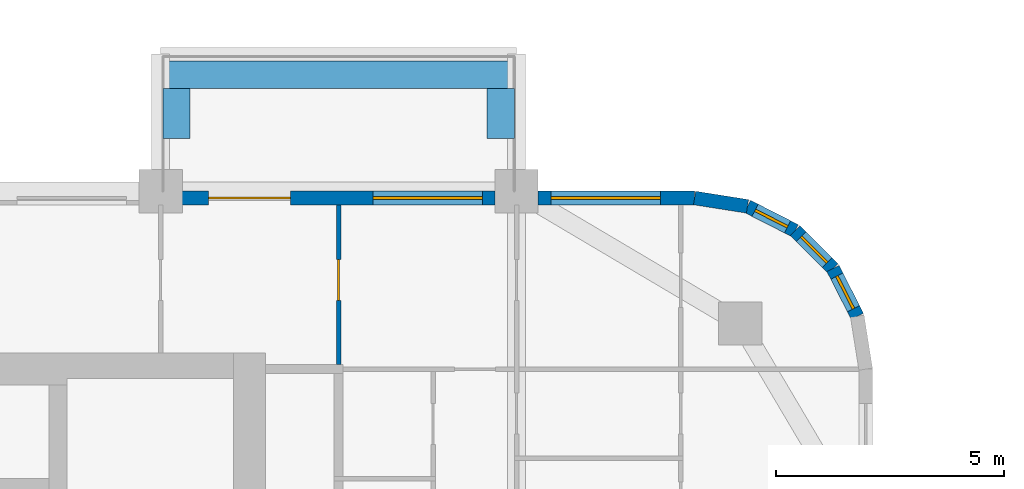
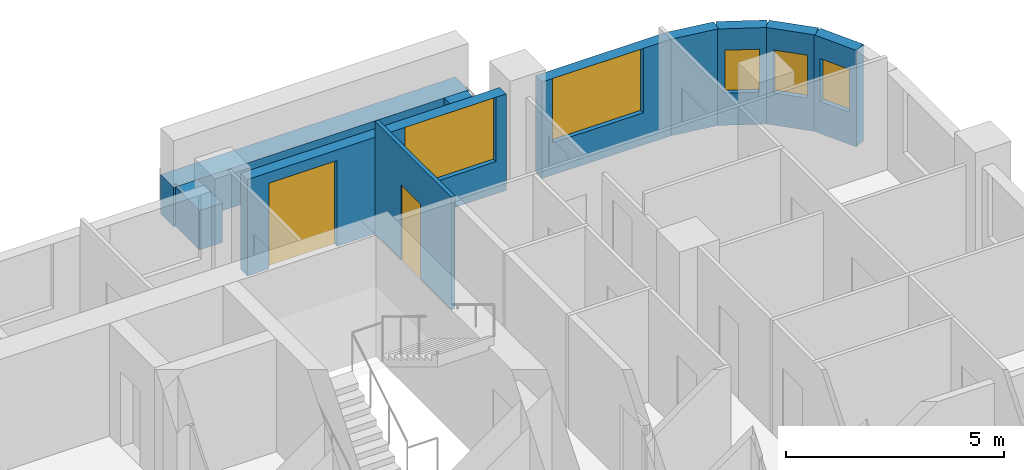
# One storey, part 14 of 18: 10 walls, 5 windows, 2 doors, 7 openings.
"""IFC4 building model written with IfcOpenShell, lengths in metres."""

from ifc_helpers import new_model, si_unit, direction, frame, frame_2d, origin, place, context, subcontext, project, spatial, rectangle, extrude, material, layer, layer_set, type_object, element, fill, save


model = new_model("IFC4")

# Units and contexts
model_context = context("Model", 3, precision=1e-05, world=origin(), true_north=direction((0.0, 1.0)))
body_context = subcontext(model_context, "Body", "Model", "MODEL_VIEW")
ifc_project = project(units=[si_unit("LENGTHUNIT", "METRE"), si_unit("AREAUNIT", "SQUARE_METRE"), si_unit("VOLUMEUNIT", "CUBIC_METRE"), si_unit("PLANEANGLEUNIT", "RADIAN"), si_unit("MASSUNIT", "GRAM", prefix="KILO")], contexts=[model_context])

# Site, building, storey
site_placement = place(None, origin())
site = spatial("IfcSite", under=ifc_project, at=site_placement, CompositionType="ELEMENT")
building_placement = place(site_placement, origin())
building = spatial("IfcBuilding", under=site, at=building_placement, Name="Ludao Terraces", CompositionType="ELEMENT")
storey_placement = place(building_placement, frame((0.0, 0.0, 61.39990234375)))
storey = spatial("IfcBuildingStorey", under=building, at=storey_placement, Name="L16", CompositionType="ELEMENT", Elevation=61.39990234375)

# Walls
ifc_material_1 = material(Name="Concrete C40", Category="concrete")
ifc_layer_1 = layer(ifc_material_1, 0.60009765625)
ifc_layer_set_1 = layer_set([ifc_layer_1], Name="ENV Planter trough 600")
wall_type_1 = type_object("IfcWallType", Name="ENV Planter trough 600", PredefinedType="USERDEFINED", material=ifc_layer_set_1)
wall_1_placement = place(storey_placement, frame((92.800048828125, 90.949951171875, 0.0), z_axis=(0.0, 0.0, 1.0), x_axis=(1.0, 0.0, 0.0)))
element("IfcWall", 1, at=wall_1_placement, inside=storey, type_object=wall_type_1, Name="PL-L16-N4", ObjectType="PLANTER", PredefinedType="USERDEFINED", context=body_context, shape_type="SweptSolid", body=[
    extrude(rectangle(XDim=7.800048828125, YDim=0.60009765625, at=frame_2d((3.89990234375, 0.0))), origin(), (0.0, 0.0, 1.0), 1.10009765625),
])
for number, where, z_axis, x_axis, name in (
    (2, (93.14990234375, 90.64990234375, 0.0), (0.0, 0.0, 1.0), (0.0, -1.0, 0.0), "PL-L16-N4-SA"),
    (3, (100.25, 90.64990234375, 0.0), (0.0, 0.0, 1.0), (0.0, -1.0, 0.0), "PL-L16-N4-SB"),
):
    element("IfcWall", number, at=place(storey_placement, frame(where, z_axis=z_axis, x_axis=x_axis)), inside=storey, type_object=wall_type_1, Name=name, ObjectType="PLANTER", PredefinedType="USERDEFINED", context=body_context, shape_type="SweptSolid", body=[
        extrude(rectangle(XDim=1.099853515625, YDim=0.60009765625, at=frame_2d((0.5498046875, 0.0))), origin(), (0.0, 0.0, 1.0), 1.10009765625),
    ])

# Wall, openings, door, window
ifc_material_2 = material(Name="Granite cladding", Category="masonry")
ifc_layer_2 = layer(ifc_material_2, 0.0400390625, Category="stone")
ifc_material_3 = material(Name="Mineral wool")
ifc_layer_3 = layer(ifc_material_3, 0.06005859375)
ifc_layer_4 = layer(ifc_material_1, 0.199951171875, Category="concrete")
ifc_layer_set_2 = layer_set([ifc_layer_2, ifc_layer_3, ifc_layer_4], Name="ENV Stone-clad wall 300")
wall_type_2 = type_object("IfcWallType", Name="ENV Stone-clad wall 300", PredefinedType="SOLIDWALL", material=ifc_layer_set_2)
wall_2_placement = place(storey_placement, frame((93.27490234375, 88.25, 0.0), z_axis=(0.0, 0.0, 1.0), x_axis=(1.0, 0.0, 0.0)))
wall_2 = element("IfcWall", 4, at=wall_2_placement, inside=storey, type_object=wall_type_2, Name="EW-L16-N5", PredefinedType="SOLIDWALL", context=body_context, shape_type="SweptSolid", body=[
    extrude(rectangle(XDim=6.85009765625, YDim=0.300048828125, at=frame_2d((3.425048828125, 0.0))), origin(), (0.0, 0.0, 1.0), 2.7001953125),
])
opening_1_placement = place(wall_2_placement, frame((0.574951171875, 0.0, 0.0)))
opening_1 = element("IfcOpeningElement", 5, at=opening_1_placement, cuts=wall_2, Name="Opening BD", PredefinedType="OPENING", context=body_context, shape_type="SweptSolid", body=[
    extrude(rectangle(XDim=1.800048828125, YDim=2.39990234375, at=frame_2d((0.89990234375, 1.199951171875))), frame((0.0, 0.16015625, 0.0), z_axis=(0.0, -1.0, 0.0), x_axis=(1.0, 0.0, 0.0)), (0.0, 0.0, 1.0), 0.320068359375),
])
opening_2_placement = place(wall_2_placement, frame((4.175048828125, 0.0, 0.89990234375)))
opening_2 = element("IfcOpeningElement", 6, at=opening_2_placement, cuts=wall_2, Name="Opening W1", PredefinedType="OPENING", context=body_context, shape_type="SweptSolid", body=[
    extrude(rectangle(XDim=2.39990234375, YDim=1.800048828125, at=frame_2d((1.199951171875, 0.89990234375))), frame((0.0, 0.16015625, 0.0), z_axis=(0.0, -1.0, 0.0), x_axis=(1.0, 0.0, 0.0)), (0.0, 0.0, 1.0), 0.320068359375),
])
ifc_material_4 = material(Name="Aluminium glazed door", Category="aluminium")
ifc_layer_5 = layer(ifc_material_4, 0.06005859375)
ifc_layer_set_3 = layer_set([ifc_layer_5], Name="ENV Balcony door BD 1800x2400")
door_type_1 = type_object("IfcDoorType", Name="ENV Balcony door BD 1800x2400", OperationType="DOUBLE_DOOR_SINGLE_SWING", PredefinedType="DOOR", material=ifc_layer_set_3)
door_1_placement = place(opening_1_placement, origin())
door_1 = element("IfcDoor", 7, at=door_1_placement, inside=storey, type_object=door_type_1, Name="BD-L16-N5-1", OperationType="DOUBLE_DOOR_SINGLE_SWING", OverallHeight=2.39990234375, OverallWidth=1.800048828125, PredefinedType="DOOR", context=body_context, shape_type="SweptSolid", body=[
    extrude(rectangle(XDim=1.800048828125, YDim=2.39990234375, at=frame_2d((0.89990234375, 1.199951171875))), frame((0.0, 0.02490234375, 0.0), z_axis=(0.0, -1.0, 0.0), x_axis=(1.0, 0.0, 0.0)), (0.0, 0.0, 1.0), 0.050048828125),
])
fill(opening_1, door_1)
ifc_material_5 = material(Name="Clear glass in aluminium frame", Category="aluminium")
ifc_layer_6 = layer(ifc_material_5, 0.06005859375)
ifc_layer_set_4 = layer_set([ifc_layer_6], Name="ENV Window W1 2400x1800")
window_type_1 = type_object("IfcWindowType", Name="ENV Window W1 2400x1800", PartitioningType="DOUBLE_PANEL_VERTICAL", PredefinedType="WINDOW", material=ifc_layer_set_4)
window_1_placement = place(opening_2_placement, origin())
window_1 = element("IfcWindow", 8, at=window_1_placement, inside=storey, type_object=window_type_1, Name="W-L16-N5-2", OverallHeight=1.800048828125, OverallWidth=2.39990234375, PartitioningType="DOUBLE_PANEL_VERTICAL", PredefinedType="WINDOW", context=body_context, shape_type="SweptSolid", body=[
    extrude(rectangle(XDim=2.39990234375, YDim=1.800048828125, at=frame_2d((1.199951171875, 0.89990234375))), frame((0.0, 0.030029296875, 0.0), z_axis=(0.0, -1.0, 0.0), x_axis=(1.0, 0.0, 0.0)), (0.0, 0.0, 1.0), 0.06005859375),
])
fill(opening_2, window_1)

# Wall, opening, window
wall_3_placement = place(storey_placement, frame((101.074951171875, 88.25, 0.0), z_axis=(0.0, 0.0, 1.0), x_axis=(1.0, 0.0, 0.0)))
wall_3 = element("IfcWall", 9, at=wall_3_placement, inside=storey, type_object=wall_type_2, Name="EW-L16-N6", PredefinedType="SOLIDWALL", context=body_context, shape_type="SweptSolid", body=[
    extrude(rectangle(XDim=3.425048828125, YDim=0.300048828125, at=frame_2d((1.71240234375, 0.0))), origin(), (0.0, 0.0, 1.0), 2.7001953125),
])
opening_3_placement = place(wall_3_placement, frame((0.27490234375, 0.0, 0.89990234375)))
opening_3 = element("IfcOpeningElement", 10, at=opening_3_placement, cuts=wall_3, Name="Opening W1", PredefinedType="OPENING", context=body_context, shape_type="SweptSolid", body=[
    extrude(rectangle(XDim=2.39990234375, YDim=1.800048828125, at=frame_2d((1.199951171875, 0.89990234375))), frame((0.0, 0.16015625, 0.0), z_axis=(0.0, -1.0, 0.0), x_axis=(1.0, 0.0, 0.0)), (0.0, 0.0, 1.0), 0.320068359375),
])
window_2_placement = place(opening_3_placement, origin())
window_2 = element("IfcWindow", 11, at=window_2_placement, inside=storey, type_object=window_type_1, Name="W-L16-N6-1", OverallHeight=1.800048828125, OverallWidth=2.39990234375, PartitioningType="DOUBLE_PANEL_VERTICAL", PredefinedType="WINDOW", context=body_context, shape_type="SweptSolid", body=[
    extrude(rectangle(XDim=2.39990234375, YDim=1.800048828125, at=frame_2d((1.199951171875, 0.89990234375))), frame((0.0, 0.030029296875, 0.0), z_axis=(0.0, -1.0, 0.0), x_axis=(1.0, 0.0, 0.0)), (0.0, 0.0, 1.0), 0.06005859375),
])
fill(opening_3, window_2)

wall_4_placement = place(storey_placement, frame((108.06640625, 85.65869140625, 0.0), z_axis=(0.0, 0.0, 1.0), x_axis=(-0.454025524128, 0.890988677504, 0.0)))
wall_4 = element("IfcWall", 12, at=wall_4_placement, inside=storey, type_object=wall_type_2, Name="EW-L16-NE2", PredefinedType="SOLIDWALL", context=body_context, shape_type="SweptSolid", body=[
    extrude(rectangle(XDim=1.17333984375, YDim=0.300048828125, at=frame_2d((0.586669921875, 0.0))), origin(), (0.0, 0.0, 1.0), 2.7001953125),
])
opening_4_placement = place(wall_4_placement, frame((0.1865234375, 0.0, 0.89990234375)))
opening_4 = element("IfcOpeningElement", 13, at=opening_4_placement, cuts=wall_4, Name="Opening W3", PredefinedType="OPENING", context=body_context, shape_type="SweptSolid", body=[
    extrude(rectangle(XDim=0.800048828125, YDim=1.199951171875, at=frame_2d((0.39990234375, 0.60009765625))), frame((0.0, 0.16015625, 0.0), z_axis=(0.0, -1.0, 0.0), x_axis=(1.0, 0.0, 0.0)), (0.0, 0.0, 1.0), 0.320068359375),
])
ifc_layer_7 = layer(ifc_material_5, 0.06005859375)
ifc_layer_set_5 = layer_set([ifc_layer_7], Name="ENV Window W3 800x1200")
window_type_2 = type_object("IfcWindowType", Name="ENV Window W3 800x1200", PartitioningType="SINGLE_PANEL", PredefinedType="WINDOW", material=ifc_layer_set_5)
window_3_placement = place(opening_4_placement, origin())
window_3 = element("IfcWindow", 14, at=window_3_placement, inside=storey, type_object=window_type_2, Name="W-L16-NE2", OverallHeight=1.199951171875, OverallWidth=0.800048828125, PartitioningType="SINGLE_PANEL", PredefinedType="WINDOW", context=body_context, shape_type="SweptSolid", body=[
    extrude(rectangle(XDim=0.800048828125, YDim=1.199951171875, at=frame_2d((0.39990234375, 0.60009765625))), frame((0.0, 0.030029296875, 0.0), z_axis=(0.0, -1.0, 0.0), x_axis=(1.0, 0.0, 0.0)), (0.0, 0.0, 1.0), 0.06005859375),
])
fill(opening_4, window_3)

wall_5_placement = place(storey_placement, frame((107.53369140625, 86.7041015625, 0.0), z_axis=(0.0, 0.0, 1.0), x_axis=(-0.707106781187, 0.707106781187, 0.0)))
wall_5 = element("IfcWall", 15, at=wall_5_placement, inside=storey, type_object=wall_type_2, Name="EW-L16-NE3", PredefinedType="SOLIDWALL", context=body_context, shape_type="SweptSolid", body=[
    extrude(rectangle(XDim=1.173095703125, YDim=0.300048828125, at=frame_2d((0.58642578125, 0.0))), origin(), (0.0, 0.0, 1.0), 2.7001953125),
])
opening_5_placement = place(wall_5_placement, frame((0.1865234375, 0.0, 0.89990234375)))
opening_5 = element("IfcOpeningElement", 16, at=opening_5_placement, cuts=wall_5, Name="Opening W3", PredefinedType="OPENING", context=body_context, shape_type="SweptSolid", body=[
    extrude(rectangle(XDim=0.800048828125, YDim=1.199951171875, at=frame_2d((0.39990234375, 0.60009765625))), frame((0.0, 0.16015625, 0.0), z_axis=(0.0, -1.0, 0.0), x_axis=(1.0, 0.0, 0.0)), (0.0, 0.0, 1.0), 0.320068359375),
])
window_4_placement = place(opening_5_placement, origin())
window_4 = element("IfcWindow", 17, at=window_4_placement, inside=storey, type_object=window_type_2, Name="W-L16-NE3", OverallHeight=1.199951171875, OverallWidth=0.800048828125, PartitioningType="SINGLE_PANEL", PredefinedType="WINDOW", context=body_context, shape_type="SweptSolid", body=[
    extrude(rectangle(XDim=0.800048828125, YDim=1.199951171875, at=frame_2d((0.39990234375, 0.60009765625))), frame((0.0, 0.030029296875, 0.0), z_axis=(0.0, -1.0, 0.0), x_axis=(1.0, 0.0, 0.0)), (0.0, 0.0, 1.0), 0.06005859375),
])
fill(opening_5, window_4)

wall_6_placement = place(storey_placement, frame((106.7041015625, 87.53369140625, 0.0), z_axis=(0.0, 0.0, 1.0), x_axis=(-0.890988677504, 0.454025524128, 0.0)))
wall_6 = element("IfcWall", 18, at=wall_6_placement, inside=storey, type_object=wall_type_2, Name="EW-L16-NE4", PredefinedType="SOLIDWALL", context=body_context, shape_type="SweptSolid", body=[
    extrude(rectangle(XDim=1.17333984375, YDim=0.300048828125, at=frame_2d((0.586669921875, 0.0))), origin(), (0.0, 0.0, 1.0), 2.7001953125),
])
opening_6_placement = place(wall_6_placement, frame((0.1865234375, 0.0, 0.89990234375)))
opening_6 = element("IfcOpeningElement", 19, at=opening_6_placement, cuts=wall_6, Name="Opening W3", PredefinedType="OPENING", context=body_context, shape_type="SweptSolid", body=[
    extrude(rectangle(XDim=0.800048828125, YDim=1.199951171875, at=frame_2d((0.39990234375, 0.60009765625))), frame((0.0, 0.16015625, 0.0), z_axis=(0.0, -1.0, 0.0), x_axis=(1.0, 0.0, 0.0)), (0.0, 0.0, 1.0), 0.320068359375),
])
window_5_placement = place(opening_6_placement, origin())
window_5 = element("IfcWindow", 20, at=window_5_placement, inside=storey, type_object=window_type_2, Name="W-L16-NE4", OverallHeight=1.199951171875, OverallWidth=0.800048828125, PartitioningType="SINGLE_PANEL", PredefinedType="WINDOW", context=body_context, shape_type="SweptSolid", body=[
    extrude(rectangle(XDim=0.800048828125, YDim=1.199951171875, at=frame_2d((0.39990234375, 0.60009765625))), frame((0.0, 0.030029296875, 0.0), z_axis=(0.0, -1.0, 0.0), x_axis=(1.0, 0.0, 0.0)), (0.0, 0.0, 1.0), 0.06005859375),
])
fill(opening_6, window_5)

# Wall
wall_7_placement = place(storey_placement, frame((105.65869140625, 88.06640625, 0.0), z_axis=(0.0, 0.0, 1.0), x_axis=(-0.987678452879, 0.156496880861, 0.0)))
element("IfcWall", 21, at=wall_7_placement, inside=storey, type_object=wall_type_2, Name="EW-L16-NE5", PredefinedType="SOLIDWALL", context=body_context, shape_type="SweptSolid", body=[
    extrude(rectangle(XDim=1.173095703125, YDim=0.300048828125, at=frame_2d((0.58642578125, 0.0))), origin(), (0.0, 0.0, 1.0), 2.7001953125),
])

# Wall, opening, door
ifc_material_6 = material(Name="Gypsum plasterboard", Category="gypsum")
ifc_layer_8 = layer(ifc_material_6, 0.012451171875, Category="gypsum")
ifc_layer_9 = layer(ifc_material_3, 0.06005859375, Name="insulation")
ifc_material_7 = material(Name="Steel Q235", Category="steel")
ifc_layer_10 = layer(ifc_material_7, 0.014892578125, Name="stud")
ifc_layer_11 = layer(ifc_material_6, 0.012451171875, Category="gypsum")
ifc_layer_set_6 = layer_set([ifc_layer_8, ifc_layer_9, ifc_layer_10, ifc_layer_11], Name="INT Partition 100")
wall_type_3 = type_object("IfcWallType", Name="INT Partition 100", PredefinedType="PARTITIONING", material=ifc_layer_set_6)
wall_8_placement = place(storey_placement, frame((96.699951171875, 84.60009765625, 0.0), z_axis=(0.0, 0.0, 1.0), x_axis=(0.0, 1.0, 0.0)))
wall_8 = element("IfcWall", 22, at=wall_8_placement, inside=storey, type_object=wall_type_3, Name="PW-L16-PW119", PredefinedType="PARTITIONING", context=body_context, shape_type="SweptSolid", body=[
    extrude(rectangle(XDim=3.5, YDim=0.10009765625, at=frame_2d((1.75, 0.0))), origin(), (0.0, 0.0, 1.0), 3.150146484375),
])
opening_7_placement = place(wall_8_placement, frame((1.39990234375, 0.0, 0.0)))
opening_7 = element("IfcOpeningElement", 23, at=opening_7_placement, cuts=wall_8, Name="Opening R05-166", PredefinedType="OPENING", context=body_context, shape_type="SweptSolid", body=[
    extrude(rectangle(XDim=0.89990234375, YDim=2.10009765625, at=frame_2d((0.449951171875, 1.050048828125))), frame((0.0, 0.06005859375, 0.0), z_axis=(0.0, -1.0, 0.0), x_axis=(1.0, 0.0, 0.0)), (0.0, 0.0, 1.0), 0.1201171875),
])
ifc_material_8 = material(Name="Timber door leaf", Category="wood")
door_type_2 = type_object("IfcDoorType", Name="INT Room door 900", OperationType="SINGLE_SWING_LEFT", PredefinedType="DOOR", material=ifc_material_8)
door_2_placement = place(opening_7_placement, origin())
door_2 = element("IfcDoor", 24, at=door_2_placement, inside=storey, type_object=door_type_2, Name="DOOR 166", OperationType="SINGLE_SWING_RIGHT", OverallHeight=2.10009765625, OverallWidth=0.89990234375, PredefinedType="DOOR", context=body_context, shape_type="SweptSolid", body=[
    extrude(rectangle(XDim=0.89990234375, YDim=2.10009765625, at=frame_2d((0.449951171875, 1.050048828125))), frame((0.0, 0.02490234375, 0.0), z_axis=(0.0, -1.0, 0.0), x_axis=(1.0, 0.0, 0.0)), (0.0, 0.0, 1.0), 0.050048828125),
])
fill(opening_7, door_2)

save(model, "model.ifc")
